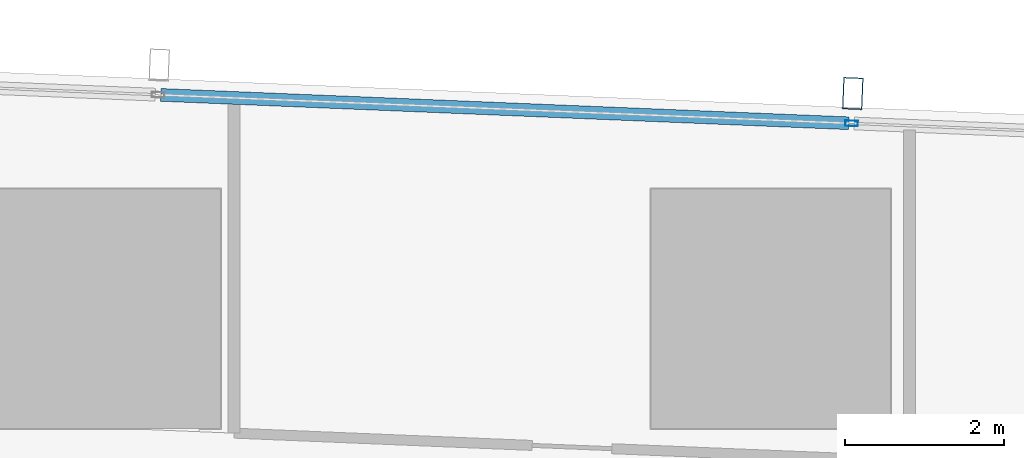
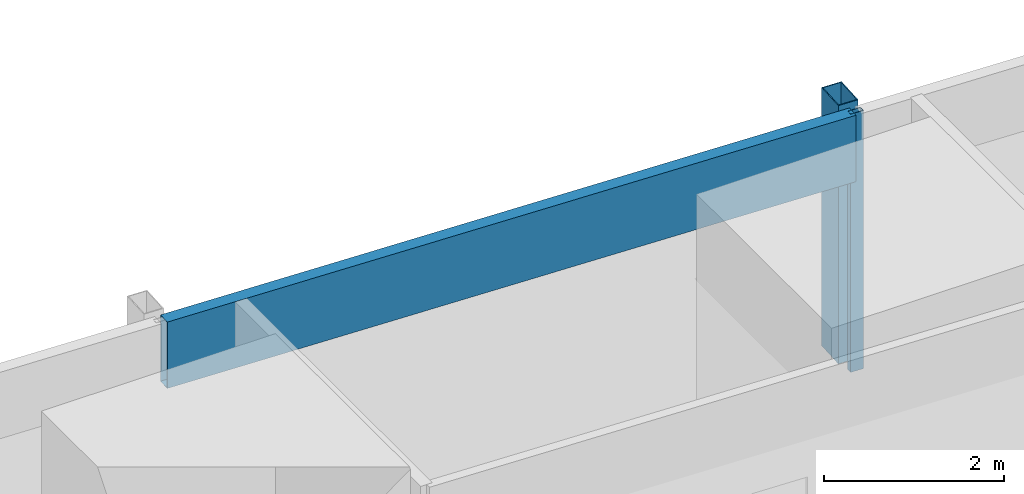
# One storey, part 22 of 45: 3 members, 1 element without a shape of its own.
"""IFC4 building model written with IfcOpenShell, lengths in metres."""

import ifcopenshell
import ifcopenshell.guid

model = None  # the IFC model being written
_history = None  # IfcOwnerHistory: only IFC2X3 demands one
_inside = {}  # id of a spatial element -> (the spatial element, [elements in it])
_under = {}  # id of a project, library or spatial element -> (it, [spatial elements below it])
_declared = {}  # id of a project -> (the project, [libraries it declares])
_typed = {}  # id of a type object -> (the type object, [elements of that type])
_made_of = {}  # id of a material, layer set ... -> (it, [elements and type objects made of it])


def new_model(schema):
    """Start an empty IFC model of exactly this schema.

    Asked for "IFC4X3", IfcOpenShell would pick the latest addendum, in which some entities
    have other attributes; the version numbers below select the first issue.
    IFC2X3 requires an IfcOwnerHistory on every rooted entity: one is made here for all.
    """
    global model, _history
    if schema == "IFC4X3":
        model = ifcopenshell.file(schema_version=(4, 3, 0, 0))
    else:
        model = ifcopenshell.file(schema=schema)
    _inside.clear()
    _under.clear()
    _declared.clear()
    _typed.clear()
    _made_of.clear()
    _history = None
    if model.schema == "IFC2X3":
        org = make("IfcOrganization", Name="unknown")
        user = make(
            "IfcPersonAndOrganization",
            ThePerson=make("IfcPerson", FamilyName="unknown"),
            TheOrganization=org,
        )
        app = make(
            "IfcApplication",
            ApplicationDeveloper=org,
            Version="unknown",
            ApplicationFullName="unknown",
            ApplicationIdentifier="unknown",
        )
        _history = make(
            "IfcOwnerHistory",
            OwningUser=user,
            OwningApplication=app,
            ChangeAction="ADDED",
            CreationDate=0,
        )
    return model


def make(cls, **values):
    """One entity of the class cls with the attributes given. An attribute that is None is left unset."""
    return model.create_entity(
        cls, **{name: value for name, value in values.items() if value is not None}
    )


def rooted(cls, **values):
    """An entity with a GlobalId (a new one), such as an element, a storey or a relation."""
    return make(cls, GlobalId=ifcopenshell.guid.new(), OwnerHistory=_history, **values)


def si_unit(unit_type, name, prefix=None):
    """IfcSIUnit, for example si_unit("LENGTHUNIT", "METRE", prefix="MILLI")."""
    return make("IfcSIUnit", UnitType=unit_type, Prefix=prefix, Name=name)


def assignment(units):
    """IfcUnitAssignment: the units of a project."""
    return None if units is None else make("IfcUnitAssignment", Units=units)


def point(xyz):
    """IfcCartesianPoint."""
    return None if xyz is None else make("IfcCartesianPoint", Coordinates=xyz)


def direction(xyz):
    """IfcDirection."""
    return None if xyz is None else make("IfcDirection", DirectionRatios=xyz)


def frame(location, z_axis=None, x_axis=None):
    """IfcAxis2Placement3D, a coordinate frame: its origin and axes. An axis left out is left unset."""
    return make(
        "IfcAxis2Placement3D",
        Location=point(location),
        Axis=direction(z_axis),
        RefDirection=direction(x_axis),
    )


def frame_2d(location, x_axis=None):
    """IfcAxis2Placement2D, a coordinate frame in the plane: its origin and x axis."""
    return make(
        "IfcAxis2Placement2D", Location=point(location), RefDirection=direction(x_axis)
    )


def origin():
    """The frame at (0, 0, 0) with its axes left unset."""
    return frame((0.0, 0.0, 0.0))


def origin_2d():
    """The frame at (0, 0) in the plane with its x axis left unset."""
    return frame_2d((0.0, 0.0))


def place(relative_to, where):
    """IfcLocalPlacement: puts the frame where relative to a parent placement (None: the world)."""
    return make(
        "IfcLocalPlacement", PlacementRelTo=relative_to, RelativePlacement=where
    )


def context(
    kind, dimensions, precision=None, world=None, true_north=None, identifier=None
):
    """IfcGeometricRepresentationContext, for example the 3D "Model" context."""
    return make(
        "IfcGeometricRepresentationContext",
        ContextIdentifier=identifier,
        ContextType=kind,
        CoordinateSpaceDimension=dimensions,
        Precision=precision,
        WorldCoordinateSystem=world,
        TrueNorth=true_north,
    )


def subcontext(parent, identifier, kind, view, scale=None):
    """IfcGeometricRepresentationSubContext, for example "Body" below "Model"."""
    return make(
        "IfcGeometricRepresentationSubContext",
        ContextIdentifier=identifier,
        ContextType=kind,
        ParentContext=parent,
        TargetScale=scale,
        TargetView=view,
    )


def project(units=None, contexts=None):
    """IfcProject with its units and contexts."""
    return rooted(
        "IfcProject",
        Name="project",
        RepresentationContexts=contexts,
        UnitsInContext=assignment(units),
    )


def spatial(cls, under=None, at=None, **own):
    """A site, building, storey or space (cls), placed at a placement, below another one or the project."""
    s = rooted(cls, ObjectPlacement=at, **own)
    if under is not None:
        _under.setdefault(under.id(), (under, []))[1].append(s)
    return s


def profile(cls, at=None, kind="AREA", **sizes):
    """A parametric profile (cls). Its sizes go by their IFC names, for example OverallWidth=200.0."""
    return make(cls, ProfileType=kind, Position=at, **sizes)


def hollow_rectangle(**sizes):
    """IfcRectangleHollowProfileDef."""
    return profile("IfcRectangleHollowProfileDef", **sizes)


def extrude(swept, where, along, depth):
    """IfcExtrudedAreaSolid: the profile swept, set in the frame where, extruded along a direction by depth."""
    return make(
        "IfcExtrudedAreaSolid",
        SweptArea=swept,
        Position=where,
        ExtrudedDirection=direction(along),
        Depth=depth,
    )


def shape(context_of_items, identifier, shape_type, items):
    """IfcShapeRepresentation: the items that make up one representation, for example the "Body"."""
    return make(
        "IfcShapeRepresentation",
        ContextOfItems=context_of_items,
        RepresentationIdentifier=identifier,
        RepresentationType=shape_type,
        Items=items,
    )


def material(Name=None, Category=None):
    """IfcMaterial."""
    return make("IfcMaterial", Name=Name, Category=Category)


def material_profile(
    of_material, cross_section, Name=None, Category=None, Priority=None
):
    """IfcMaterialProfile: a cross section and its material."""
    return make(
        "IfcMaterialProfile",
        Name=Name,
        Material=of_material,
        Profile=cross_section,
        Priority=Priority,
        Category=Category,
    )


def profile_set(profiles, Name=None, composite=None):
    """IfcMaterialProfileSet."""
    return make(
        "IfcMaterialProfileSet",
        Name=Name,
        MaterialProfiles=profiles,
        CompositeProfile=composite,
    )


def made_of(thing, what):
    """Note that an element or type object is made of a material, layer set ...; save() writes the relation."""
    if what is not None:
        _made_of.setdefault(what.id(), (what, []))[1].append(thing)
    return thing


def type_object(cls, material=None, **own):
    """A type object (cls), such as IfcWallType, which elements share."""
    return made_of(rooted(cls, **own), material)


def element(
    cls,
    number,
    at=None,
    inside=None,
    cuts=None,
    type_object=None,
    material=None,
    context=None,
    identifier="Body",
    shape_type=None,
    held_by="IfcProductDefinitionShape",
    body=None,
    shapes=None,
    **own,
):
    """One element of the class cls, such as IfcWall. Its Tag is "e" and its number.

    at: its placement. inside: the storey or other place that contains it. cuts: it is an
    opening in that element (IfcRelVoidsElement). A single representation is given by context,
    identifier, shape_type and body (its items); several are given by shapes. held_by: the class
    of the entity that holds the representations. save() writes the other relations.
    """
    e = rooted(cls, Tag="e%d" % number, ObjectPlacement=at, **own)
    if body is not None:
        shapes = [shape(context, identifier, shape_type, body)]
    if shapes is not None:
        e.Representation = make(held_by, Representations=shapes)
    if inside is not None:
        _inside.setdefault(inside.id(), (inside, []))[1].append(e)
    if cuts is not None:
        rooted(
            "IfcRelVoidsElement", RelatingBuildingElement=cuts, RelatedOpeningElement=e
        )
    if type_object is not None:
        _typed.setdefault(type_object.id(), (type_object, []))[1].append(e)
    return made_of(e, material)


def aggregate(whole, parts):
    """IfcRelAggregates: a whole, such as a stair, and the parts it consists of."""
    return rooted("IfcRelAggregates", RelatingObject=whole, RelatedObjects=parts)


def save(model, path):
    """Write the relations noted so far, then the file.

    IfcRelAggregates (storeys below a building ...), IfcRelContainedInSpatialStructure (elements
    in a storey), IfcRelDefinesByType, IfcRelAssociatesMaterial and IfcRelDeclares: one each for
    every whole, place, type object, material and project.
    """
    for whole, parts in _under.values():
        aggregate(whole, parts)
    for where, things in _inside.values():
        rooted(
            "IfcRelContainedInSpatialStructure",
            RelatedElements=things,
            RelatingStructure=where,
        )
    for kind, things in _typed.values():
        rooted("IfcRelDefinesByType", RelatedObjects=things, RelatingType=kind)
    for what, things in _made_of.values():
        rooted("IfcRelAssociatesMaterial", RelatedObjects=things, RelatingMaterial=what)
    for by, libraries in _declared.values():
        rooted("IfcRelDeclares", RelatingContext=by, RelatedDefinitions=libraries)
    model.write(path)


model = new_model("IFC4")

# Units and contexts
model_context = context("Model", 3, precision=1e-05, world=origin(), true_north=direction((0.0, 1.0)))
body_context = subcontext(model_context, "Body", "Model", "MODEL_VIEW")
ifc_project = project(units=[si_unit("LENGTHUNIT", "METRE"), si_unit("AREAUNIT", "SQUARE_METRE"), si_unit("VOLUMEUNIT", "CUBIC_METRE"), si_unit("PLANEANGLEUNIT", "RADIAN"), si_unit("MASSUNIT", "GRAM", prefix="KILO")], contexts=[model_context])

# Site, building, storey
site_placement = place(None, origin())
site = spatial("IfcSite", under=ifc_project, at=site_placement, CompositionType="ELEMENT")
building_placement = place(site_placement, origin())
building = spatial("IfcBuilding", under=site, at=building_placement, Name="Rekha Terrace Tower", CompositionType="ELEMENT")
storey_placement = place(building_placement, frame((0.0, 0.0, 77.89990234375)))
storey = spatial("IfcBuildingStorey", under=building, at=storey_placement, Name="L19", CompositionType="ELEMENT", Elevation=77.89990234375)

# Curtain wall, members
ifc_material_1 = material(Name="Aluminium framing", Category="aluminium")
curtain_wall_type = type_object("IfcCurtainWallType", Name="CW3 north unitised glazing", PredefinedType="USERDEFINED", material=ifc_material_1)
curtain_wall_placement = place(storey_placement, origin())
curtain_wall = element("IfcCurtainWall", 1, at=curtain_wall_placement, inside=storey, type_object=curtain_wall_type, Name="CW3 unitised curtain wall", ObjectType="UNITISED CURTAIN WALL", PredefinedType="USERDEFINED")
ifc_material_2 = material(Name="Steel S355 with fluorocarbon finish", Category="steel")
ifc_material_profile_1 = material_profile(ifc_material_2, hollow_rectangle(XDim=0.25, YDim=0.39990234375, WallThickness=0.012451171875, at=origin_2d()), Name="RHS400x250x12.5")
ifc_profile_set_1 = profile_set([ifc_material_profile_1], Name="Steel S355 with fluorocarbon finish")
member_type_1 = type_object("IfcMemberType", Name="BL1 facade blade RHS 400 x 250", PredefinedType="USERDEFINED", material=ifc_profile_set_1)
member_1_placement = place(storey_placement, frame((51.430419921875, 61.499267578125, 0.0), z_axis=(0.0, 0.0, 1.0), x_axis=(-0.99915196507, 0.041174636562, 0.0)))
member_1 = element("IfcMember", 2, at=member_1_placement, type_object=member_type_1, Name="Facade blade", ObjectType="FACADE BLADE", PredefinedType="USERDEFINED", context=body_context, shape_type="SweptSolid", body=[
    extrude(hollow_rectangle(XDim=0.25, YDim=0.39990234375, WallThickness=0.012451171875, at=origin_2d()), origin(), (0.0, 0.0, 1.0), 3.5),
])
ifc_material_3 = material(Name="Aluminium mullion section", Category="aluminium")
ifc_material_profile_2 = material_profile(ifc_material_3, hollow_rectangle(XDim=0.070068359375, YDim=0.159912109375, WallThickness=0.00390625, at=origin_2d()), Name="AL RHS 70x160")
ifc_profile_set_2 = profile_set([ifc_material_profile_2], Name="Aluminium mullion section")
member_type_2 = type_object("IfcMemberType", Name="CW3 mullion RHS 70 x 160", PredefinedType="MULLION", material=ifc_profile_set_2)
member_2_placement = place(storey_placement, frame((51.4150390625, 61.12451171875, 0.0), z_axis=(0.0, 0.0, 1.0), x_axis=(-0.041173846041, -0.999151997647, 0.0)))
member_2 = element("IfcMember", 3, at=member_2_placement, type_object=member_type_2, Name="CW3 mullion 3", PredefinedType="MULLION", context=body_context, shape_type="SweptSolid", body=[
    extrude(hollow_rectangle(XDim=0.070068359375, YDim=0.159912109375, WallThickness=0.00390625, at=origin_2d()), origin(), (0.0, 0.0, 1.0), 3.5),
])
ifc_material_4 = material(Name="Insulated aluminium spandrel box", Category="aluminium")
ifc_material_profile_3 = material_profile(ifc_material_4, hollow_rectangle(XDim=0.159912109375, YDim=0.89990234375, WallThickness=0.0029296875, at=origin_2d()), Name="AL SPANDREL BOX 160x900")
ifc_profile_set_3 = profile_set([ifc_material_profile_3], Name="Insulated aluminium spandrel box")
member_type_3 = type_object("IfcMemberType", Name="CW3 spandrel transom 160 x 900", PredefinedType="USERDEFINED", material=ifc_profile_set_3)
member_3_placement = place(storey_placement, frame((51.380126953125, 61.1259765625, 3.050048828125), z_axis=(-0.999152128669, 0.041170666459, 0.0), x_axis=(-0.041170666459, -0.999152128669, 0.0)))
member_3 = element("IfcMember", 4, at=member_3_placement, type_object=member_type_3, Name="CW3 spandrel transom 3", ObjectType="TRANSOM", PredefinedType="USERDEFINED", context=body_context, shape_type="SweptSolid", body=[
    extrude(hollow_rectangle(XDim=0.159912109375, YDim=0.89990234375, WallThickness=0.0029296875, at=origin_2d()), origin(), (0.0, 0.0, 1.0), 8.634033203125),
])
aggregate(curtain_wall, [member_2, member_3, member_1])

save(model, "model.ifc")
